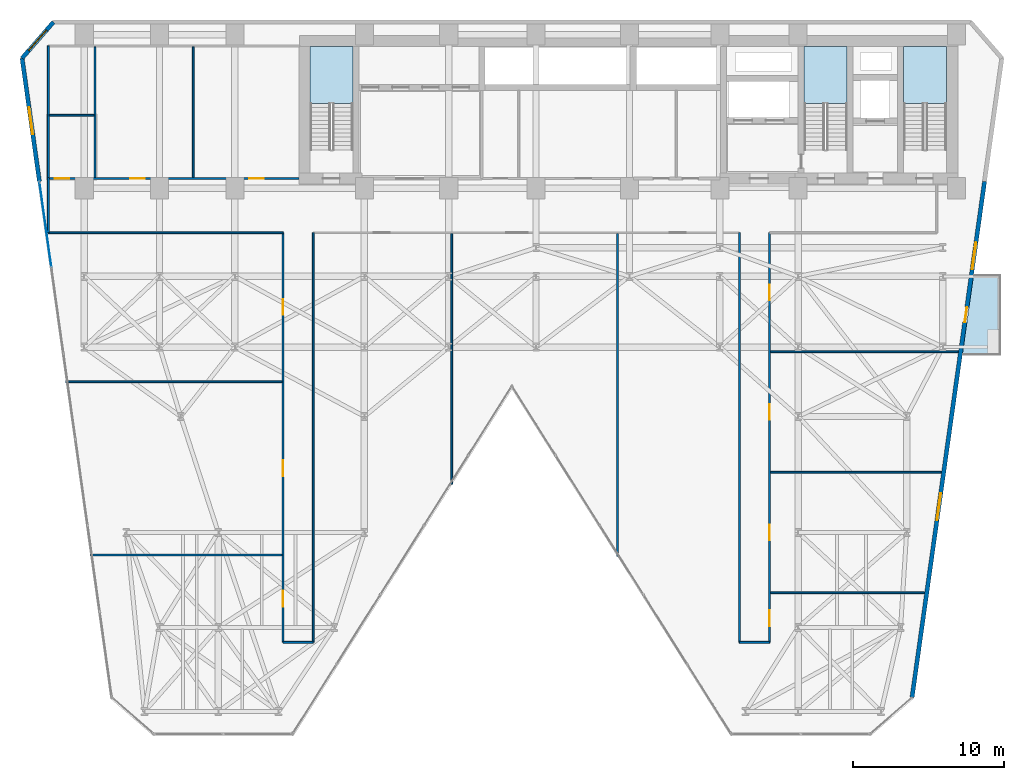
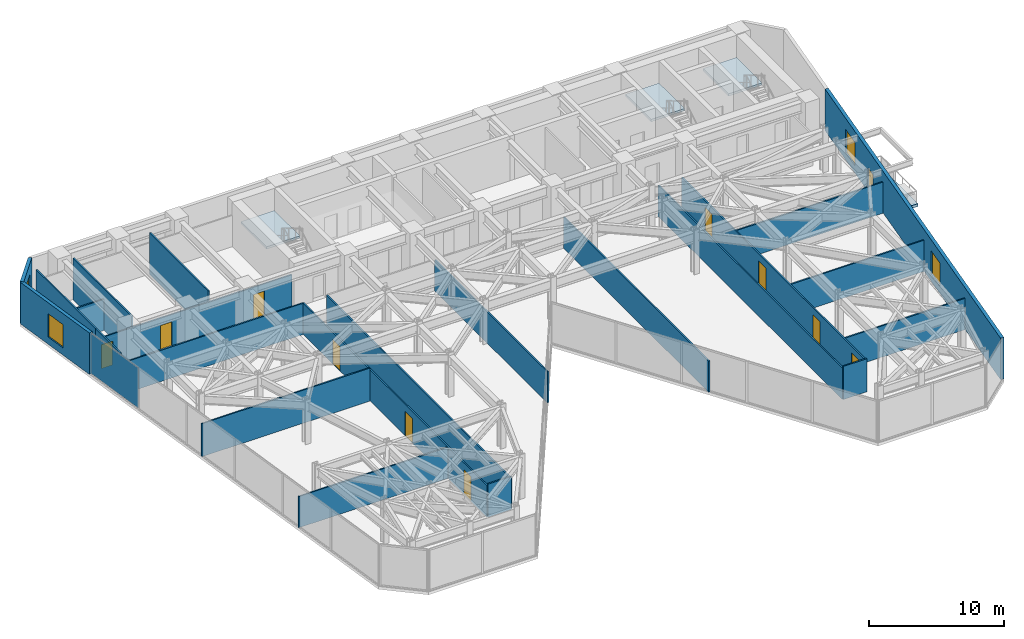
# One storey, part 19 of 24: 23 walls, 11 doors, 4 slabs, 4 windows, 1 plate, 15 openings, 4 elements without a shape of their own.
"""IFC4 building model written with IfcOpenShell, lengths in metres."""

from ifc_helpers import new_model, si_unit, direction, frame, frame_2d, origin, origin_2d, place, context, subcontext, project, spatial, polyline, rectangle, outline, extrude, material, layer, layer_set, type_object, element, fill, aggregate, save


model = new_model("IFC4")

# Units and contexts
model_context = context("Model", 3, precision=1e-05, world=origin(), true_north=direction((0.0, 1.0)))
body_context = subcontext(model_context, "Body", "Model", "MODEL_VIEW")
ifc_project = project(units=[si_unit("LENGTHUNIT", "METRE"), si_unit("AREAUNIT", "SQUARE_METRE"), si_unit("VOLUMEUNIT", "CUBIC_METRE"), si_unit("PLANEANGLEUNIT", "RADIAN"), si_unit("MASSUNIT", "GRAM", prefix="KILO")], contexts=[model_context])

# Site, building, storey
site_placement = place(None, origin())
site = spatial("IfcSite", under=ifc_project, at=site_placement, CompositionType="ELEMENT")
building_placement = place(site_placement, origin())
building = spatial("IfcBuilding", under=site, at=building_placement, Name="Kravanh Interchange Tower", CompositionType="ELEMENT")
storey_placement = place(building_placement, frame((0.0, 0.0, 37.5)))
storey = spatial("IfcBuildingStorey", under=building, at=storey_placement, Name="L08", CompositionType="ELEMENT", Elevation=37.5)

# Stair, slab
ifc_material_1 = material(Name="Concrete C50/60", Category="concrete")
stair_type = type_object("IfcStairType", Name="Core Fire Exit Dogleg Stair Concrete C50/60", PredefinedType="HALF_TURN_STAIR", material=ifc_material_1)
stair_1_placement = place(storey_placement, origin())
stair_1 = element("IfcStair", 1, at=stair_1_placement, inside=storey, type_object=stair_type, Name="L08 Exit Stair ST1", PredefinedType="HALF_TURN_STAIR")
ifc_material_2 = material(Name="Concrete C50/60", Category="concrete")
ifc_layer_1 = layer(ifc_material_2, 0.199951171875)
ifc_layer_set_1 = layer_set([ifc_layer_1], Name="Concrete C50/60 Stair Half-Landing Slab 200mm")
slab_type_1 = type_object("IfcSlabType", Name="Concrete C50/60 Stair Half-Landing Slab 200mm", PredefinedType="LANDING", material=ifc_layer_set_1)
slab_1_placement = place(storey_placement, frame((0.0, 0.0, 1.800048828125)))
slab_1 = element("IfcSlab", 2, at=slab_1_placement, type_object=slab_type_1, Name="ST1 landing 1", PredefinedType="LANDING", context=body_context, shape_type="SweptSolid", body=[
    extrude(outline(polyline([(65.85009765625, 42.97998046875), (65.85009765625, 46.75), (63.0, 46.75), (63.0, 42.97998046875), (65.85009765625, 42.97998046875)])), origin(), (0.0, 0.0, 1.0), 0.199951171875),
])
aggregate(stair_1, [slab_1])

stair_2_placement = place(storey_placement, origin())
stair_2 = element("IfcStair", 3, at=stair_2_placement, inside=storey, type_object=stair_type, Name="L08 Exit Stair ST2", PredefinedType="HALF_TURN_STAIR")
slab_2_placement = place(storey_placement, frame((0.0, 0.0, 1.800048828125)))
slab_2 = element("IfcSlab", 4, at=slab_2_placement, type_object=slab_type_1, Name="ST2 landing 1", PredefinedType="LANDING", context=body_context, shape_type="SweptSolid", body=[
    extrude(outline(polyline([(59.25, 42.97998046875), (59.25, 46.75), (56.39990234375, 46.75), (56.39990234375, 42.97998046875), (59.25, 42.97998046875)])), origin(), (0.0, 0.0, 1.0), 0.199951171875),
])
aggregate(stair_2, [slab_2])

stair_3_placement = place(storey_placement, origin())
stair_3 = element("IfcStair", 5, at=stair_3_placement, inside=storey, type_object=stair_type, Name="L08 Exit Stair ST3", PredefinedType="HALF_TURN_STAIR")
slab_3_placement = place(storey_placement, frame((0.0, 0.0, 1.800048828125)))
slab_3 = element("IfcSlab", 6, at=slab_3_placement, type_object=slab_type_1, Name="ST3 landing 1", PredefinedType="LANDING", context=body_context, shape_type="SweptSolid", body=[
    extrude(outline(polyline([(26.449951171875, 42.97998046875), (26.449951171875, 46.75), (23.60009765625, 46.75), (23.60009765625, 42.97998046875), (26.449951171875, 42.97998046875)])), origin(), (0.0, 0.0, 1.0), 0.199951171875),
])
aggregate(stair_3, [slab_3])

# Slab
ifc_material_3 = material(Name="Concrete C50/60", Category="concrete")
ifc_layer_2 = layer(ifc_material_3, 0.199951171875)
ifc_layer_set_2 = layer_set([ifc_layer_2], Name="Planted Tree Balcony Slab Concrete C50/60 200mm")
slab_type_2 = type_object("IfcSlabType", Name="Planted Tree Balcony Slab Concrete C50/60 200mm", PredefinedType="USERDEFINED", material=ifc_layer_set_2)
slab_4_placement = place(storey_placement, frame((0.0, 0.0, -0.260009765625)))
element("IfcSlab", 7, at=slab_4_placement, inside=storey, type_object=slab_type_2, Name="L08 East Tree Planter Balcony Slab", ObjectType="BALCONY", PredefinedType="USERDEFINED", context=body_context, shape_type="SweptSolid", body=[
    extrude(outline(polyline([(69.47900390625, 31.6298828125), (69.47900390625, 26.22998046875), (66.88525390625, 26.22998046875), (67.644287109375, 31.6298828125), (69.47900390625, 31.6298828125)])), origin(), (0.0, 0.0, 1.0), 0.260009765625),
])

# Curtain wall, plate
ifc_material_4 = material(Name="Anodised Bronze Aluminium", Category="aluminium")
ifc_layer_3 = layer(ifc_material_4, 0.179931640625)
ifc_layer_set_3 = layer_set([ifc_layer_3], Name="Unitised Curtain Wall System CW-Z1 Lower Office")
curtain_wall_type = type_object("IfcCurtainWallType", Name="Unitised Curtain Wall System CW-Z1 Lower Office", PredefinedType="NOTDEFINED", material=ifc_layer_set_3)
curtain_wall_placement = place(storey_placement, origin())
curtain_wall = element("IfcCurtainWall", 8, at=curtain_wall_placement, inside=storey, type_object=curtain_wall_type, Name="L08 Unitised Curtain Wall CW-L08-01", PredefinedType="NOTDEFINED")
ifc_material_5 = material(Name="Low-E Laminated Architectural Glass", Category="glass")
ifc_layer_4 = layer(ifc_material_5, 0.028076171875)
ifc_layer_set_4 = layer_set([ifc_layer_4], Name="Solar-Control Double Glazing 28mm")
plate_type = type_object("IfcPlateType", Name="Solar-Control Double Glazing 28mm", PredefinedType="CURTAIN_PANEL", material=ifc_layer_set_4)
plate_placement = place(storey_placement, frame((6.028564453125, 34.927490234375, 0.06005859375), z_axis=(0.0, 0.0, 1.0), x_axis=(-0.139176538065, 0.990267585682, 0.0)))
plate = element("IfcPlate", 9, at=plate_placement, type_object=plate_type, Name="CW-Z1 panel 6.1", PredefinedType="CURTAIN_PANEL", context=body_context, shape_type="SweptSolid", body=[
    extrude(rectangle(XDim=5.66162109375, YDim=0.028076171875, at=origin_2d()), origin(), (0.0, 0.0, 1.0), 3.6201171875),
])
aggregate(curtain_wall, [plate])

# Wall, openings, doors
ifc_material_6 = material(Name="Double Acoustic Gypsum Board and Mineral Wool")
ifc_layer_5 = layer(ifc_material_6, 0.1201171875)
ifc_layer_set_5 = layer_set([ifc_layer_5], Name="Acoustic Office Drywall Partition 120mm")
wall_type_1 = type_object("IfcWallType", Name="Acoustic Office Drywall Partition 120mm", PredefinedType="PARTITIONING", material=ifc_layer_set_5)
wall_1_placement = place(storey_placement, frame((6.219970703125, 38.0, 0.0), z_axis=(0.0, 0.0, 1.0), x_axis=(1.0, 0.0, 0.0)))
wall_1 = element("IfcWall", 10, at=wall_1_placement, inside=storey, type_object=wall_type_1, Name="L08 Restroom Corridor Wall 7", PredefinedType="PARTITIONING", context=body_context, shape_type="SweptSolid", body=[
    extrude(rectangle(XDim=16.630126953125, YDim=0.1201171875, at=frame_2d((8.31494140625, 0.0))), origin(), (0.0, 0.0, 1.0), 2.81298828125),
])
opening_1_placement = place(wall_1_placement, frame((0.424072265625, 0.0, 0.0)))
opening_1 = element("IfcOpeningElement", 11, at=opening_1_placement, cuts=wall_1, Name="Opening D-95", PredefinedType="OPENING", context=body_context, shape_type="SweptSolid", body=[
    extrude(rectangle(XDim=0.949951171875, YDim=2.14990234375, at=frame_2d((0.47509765625, 1.074951171875))), frame((0.0, 0.070068359375, 0.0), z_axis=(0.0, -1.0, 0.0), x_axis=(1.0, 0.0, 0.0)), (0.0, 0.0, 1.0), 0.14013671875),
])
opening_2_placement = place(wall_1_placement, frame((5.444091796875, 0.0, 0.0)))
opening_2 = element("IfcOpeningElement", 12, at=opening_2_placement, cuts=wall_1, Name="Opening D-95", PredefinedType="OPENING", context=body_context, shape_type="SweptSolid", body=[
    extrude(rectangle(XDim=0.949951171875, YDim=2.14990234375, at=frame_2d((0.47509765625, 1.074951171875))), frame((0.0, 0.070068359375, 0.0), z_axis=(0.0, -1.0, 0.0), x_axis=(1.0, 0.0, 0.0)), (0.0, 0.0, 1.0), 0.14013671875),
])
opening_3_placement = place(wall_1_placement, frame((13.343994140625, 0.0, 0.0)))
opening_3 = element("IfcOpeningElement", 13, at=opening_3_placement, cuts=wall_1, Name="Opening D-95", PredefinedType="OPENING", context=body_context, shape_type="SweptSolid", body=[
    extrude(rectangle(XDim=0.949951171875, YDim=2.14990234375, at=frame_2d((0.47509765625, 1.074951171875))), frame((0.0, 0.070068359375, 0.0), z_axis=(0.0, -1.0, 0.0), x_axis=(1.0, 0.0, 0.0)), (0.0, 0.0, 1.0), 0.14013671875),
])
ifc_material_7 = material(Name="Laminate Solid-Core Timber", Category="wood")
door_type_1 = type_object("IfcDoorType", Name="Accessible Restroom Door 950x2150", OperationType="NOTDEFINED", PredefinedType="DOOR", material=ifc_material_7)
door_1_placement = place(opening_1_placement, origin())
door_1 = element("IfcDoor", 14, at=door_1_placement, inside=storey, type_object=door_type_1, Name="L08 Accessible WC Door", OperationType="SINGLE_SWING_RIGHT", OverallHeight=2.14990234375, OverallWidth=0.949951171875, PredefinedType="DOOR", context=body_context, shape_type="SweptSolid", body=[
    extrude(rectangle(XDim=0.949951171875, YDim=2.14990234375, at=frame_2d((0.47509765625, 1.074951171875))), frame((0.0, 0.02490234375, 0.0), z_axis=(0.0, -1.0, 0.0), x_axis=(1.0, 0.0, 0.0)), (0.0, 0.0, 1.0), 0.050048828125),
])
fill(opening_1, door_1)
door_2_placement = place(opening_2_placement, origin())
door_2 = element("IfcDoor", 15, at=door_2_placement, inside=storey, type_object=door_type_1, Name="L08 Female WC Door", OperationType="SINGLE_SWING_LEFT", OverallHeight=2.14990234375, OverallWidth=0.949951171875, PredefinedType="DOOR", context=body_context, shape_type="SweptSolid", body=[
    extrude(rectangle(XDim=0.949951171875, YDim=2.14990234375, at=frame_2d((0.47509765625, 1.074951171875))), frame((0.0, 0.02490234375, 0.0), z_axis=(0.0, -1.0, 0.0), x_axis=(1.0, 0.0, 0.0)), (0.0, 0.0, 1.0), 0.050048828125),
])
fill(opening_2, door_2)
door_3_placement = place(opening_3_placement, origin())
door_3 = element("IfcDoor", 16, at=door_3_placement, inside=storey, type_object=door_type_1, Name="L08 Male WC Door", OperationType="SINGLE_SWING_RIGHT", OverallHeight=2.14990234375, OverallWidth=0.949951171875, PredefinedType="DOOR", context=body_context, shape_type="SweptSolid", body=[
    extrude(rectangle(XDim=0.949951171875, YDim=2.14990234375, at=frame_2d((0.47509765625, 1.074951171875))), frame((0.0, 0.02490234375, 0.0), z_axis=(0.0, -1.0, 0.0), x_axis=(1.0, 0.0, 0.0)), (0.0, 0.0, 1.0), 0.050048828125),
])
fill(opening_3, door_3)

# Walls
wall_2_placement = place(storey_placement, frame((6.219970703125, 38.0, 0.0), z_axis=(0.0, 0.0, 1.0), x_axis=(0.0, 1.0, 0.0)))
element("IfcWall", 17, at=wall_2_placement, inside=storey, type_object=wall_type_1, Name="L08 Restroom West Enclosure 8", PredefinedType="PARTITIONING", context=body_context, shape_type="SweptSolid", body=[
    extrude(rectangle(XDim=8.800048828125, YDim=0.1201171875, at=frame_2d((4.39990234375, 0.0))), origin(), (0.0, 0.0, 1.0), 3.739990234375),
])
for number, where, z_axis, x_axis, name in (
    (18, (9.320068359375, 38.068115234375, 0.0), (0.0, 0.0, 1.0), (0.0, 1.0, 0.0), "L08 Interior Partition 10"),
    (19, (15.840087890625, 38.068115234375, 0.0), (0.0, 0.0, 1.0), (0.0, 1.0, 0.0), "L08 Interior Partition 11"),
):
    element("IfcWall", number, at=place(storey_placement, frame(where, z_axis=z_axis, x_axis=x_axis)), inside=storey, type_object=wall_type_1, Name=name, PredefinedType="PARTITIONING", context=body_context, shape_type="SweptSolid", body=[
        extrude(rectangle(XDim=8.663818359375, YDim=0.1201171875, at=frame_2d((4.33203125, 0.0))), origin(), (0.0, 0.0, 1.0), 3.739990234375),
    ])
wall_3_placement = place(storey_placement, frame((6.2880859375, 42.199951171875, 0.0), z_axis=(0.0, 0.0, 1.0), x_axis=(1.0, 0.0, 0.0)))
element("IfcWall", 20, at=wall_3_placement, inside=storey, type_object=wall_type_1, Name="L08 Interior Partition 12", PredefinedType="PARTITIONING", context=body_context, shape_type="SweptSolid", body=[
    extrude(rectangle(XDim=2.9638671875, YDim=0.1201171875, at=frame_2d((1.48193359375, 0.0))), origin(), (0.0, 0.0, 1.0), 2.81298828125),
])
wall_4_placement = place(storey_placement, frame((6.219970703125, 34.39990234375, 0.0), z_axis=(0.0, 0.0, 1.0), x_axis=(1.0, 0.0, 0.0)))
element("IfcWall", 21, at=wall_4_placement, inside=storey, type_object=wall_type_1, Name="L08 Interior Partition 13", PredefinedType="PARTITIONING", context=body_context, shape_type="SweptSolid", body=[
    extrude(rectangle(XDim=15.580078125, YDim=0.1201171875, at=frame_2d((7.7900390625, 0.0))), origin(), (0.0, 0.0, 1.0), 2.81298828125),
])
wall_5_placement = place(storey_placement, frame((6.219970703125, 34.39990234375, 0.0), z_axis=(0.0, 0.0, 1.0), x_axis=(0.0, 1.0, 0.0)))
element("IfcWall", 22, at=wall_5_placement, inside=storey, type_object=wall_type_1, Name="L08 Interior Partition 16", PredefinedType="PARTITIONING", context=body_context, shape_type="SweptSolid", body=[
    extrude(rectangle(XDim=3.650146484375, YDim=0.1201171875, at=frame_2d((1.8251953125, 0.0))), origin(), (0.0, 0.0, 1.0), 3.739990234375),
])

# Wall, openings, doors
wall_6_placement = place(storey_placement, frame((21.800048828125, 7.199951171875, 0.0), z_axis=(0.0, 0.0, 1.0), x_axis=(0.0, 1.0, 0.0)))
wall_6 = element("IfcWall", 23, at=wall_6_placement, inside=storey, type_object=wall_type_1, Name="L08 Interior Partition 18", PredefinedType="PARTITIONING", context=body_context, shape_type="SweptSolid", body=[
    extrude(rectangle(XDim=27.199951171875, YDim=0.1201171875, at=frame_2d((13.60009765625, 0.0))), origin(), (0.0, 0.0, 1.0), 2.81298828125),
])
opening_4_placement = place(wall_6_placement, frame((2.375, 0.0, 0.0)))
opening_4 = element("IfcOpeningElement", 24, at=opening_4_placement, cuts=wall_6, Name="Opening D-105", PredefinedType="OPENING", context=body_context, shape_type="SweptSolid", body=[
    extrude(rectangle(XDim=1.050048828125, YDim=2.199951171875, at=frame_2d((0.52490234375, 1.10009765625))), frame((0.0, 0.070068359375, 0.0), z_axis=(0.0, -1.0, 0.0), x_axis=(1.0, 0.0, 0.0)), (0.0, 0.0, 1.0), 0.14013671875),
])
opening_5_placement = place(wall_6_placement, frame((11.02490234375, 0.0, 0.0)))
opening_5 = element("IfcOpeningElement", 25, at=opening_5_placement, cuts=wall_6, Name="Opening D-105", PredefinedType="OPENING", context=body_context, shape_type="SweptSolid", body=[
    extrude(rectangle(XDim=1.050048828125, YDim=2.199951171875, at=frame_2d((0.52490234375, 1.10009765625))), frame((0.0, 0.070068359375, 0.0), z_axis=(0.0, -1.0, 0.0), x_axis=(1.0, 0.0, 0.0)), (0.0, 0.0, 1.0), 0.14013671875),
])
opening_6_placement = place(wall_6_placement, frame((21.740234375, 0.0, 0.0)))
opening_6 = element("IfcOpeningElement", 26, at=opening_6_placement, cuts=wall_6, Name="Opening D-105", PredefinedType="OPENING", context=body_context, shape_type="SweptSolid", body=[
    extrude(rectangle(XDim=1.050048828125, YDim=2.199951171875, at=frame_2d((0.52490234375, 1.10009765625))), frame((0.0, 0.070068359375, 0.0), z_axis=(0.0, -1.0, 0.0), x_axis=(1.0, 0.0, 0.0)), (0.0, 0.0, 1.0), 0.14013671875),
])
ifc_material_8 = material(Name="Acoustic Glazed Oak and Aluminium", Category="aluminium")
door_type_2 = type_object("IfcDoorType", Name="Office Workplace Door 1050x2200", OperationType="NOTDEFINED", PredefinedType="DOOR", material=ifc_material_8)
door_4_placement = place(opening_4_placement, origin())
door_4 = element("IfcDoor", 27, at=door_4_placement, inside=storey, type_object=door_type_2, Name="L08 SW Seminar Meeting Room Door", OperationType="SINGLE_SWING_LEFT", OverallHeight=2.199951171875, OverallWidth=1.050048828125, PredefinedType="DOOR", context=body_context, shape_type="SweptSolid", body=[
    extrude(rectangle(XDim=1.050048828125, YDim=2.199951171875, at=frame_2d((0.52490234375, 1.10009765625))), frame((0.0, 0.02490234375, 0.0), z_axis=(0.0, -1.0, 0.0), x_axis=(1.0, 0.0, 0.0)), (0.0, 0.0, 1.0), 0.050048828125),
])
fill(opening_4, door_4)
door_5_placement = place(opening_5_placement, origin())
door_5 = element("IfcDoor", 28, at=door_5_placement, inside=storey, type_object=door_type_2, Name="L08 West Balcony Lounge Door", OperationType="SINGLE_SWING_RIGHT", OverallHeight=2.199951171875, OverallWidth=1.050048828125, PredefinedType="DOOR", context=body_context, shape_type="SweptSolid", body=[
    extrude(rectangle(XDim=1.050048828125, YDim=2.199951171875, at=frame_2d((0.52490234375, 1.10009765625))), frame((0.0, 0.02490234375, 0.0), z_axis=(0.0, -1.0, 0.0), x_axis=(1.0, 0.0, 0.0)), (0.0, 0.0, 1.0), 0.050048828125),
])
fill(opening_5, door_5)
door_6_placement = place(opening_6_placement, origin())
door_6 = element("IfcDoor", 29, at=door_6_placement, inside=storey, type_object=door_type_2, Name="L08 NW Caucus Meeting Room Door", OperationType="SINGLE_SWING_LEFT", OverallHeight=2.199951171875, OverallWidth=1.050048828125, PredefinedType="DOOR", context=body_context, shape_type="SweptSolid", body=[
    extrude(rectangle(XDim=1.050048828125, YDim=2.199951171875, at=frame_2d((0.52490234375, 1.10009765625))), frame((0.0, 0.02490234375, 0.0), z_axis=(0.0, -1.0, 0.0), x_axis=(1.0, 0.0, 0.0)), (0.0, 0.0, 1.0), 0.050048828125),
])
fill(opening_6, door_6)

# Walls
wall_7_placement = place(storey_placement, frame((23.800048828125, 7.199951171875, 0.0), z_axis=(0.0, 0.0, 1.0), x_axis=(0.0, 1.0, 0.0)))
element("IfcWall", 30, at=wall_7_placement, inside=storey, type_object=wall_type_1, Name="L08 Interior Partition 19", PredefinedType="PARTITIONING", context=body_context, shape_type="SweptSolid", body=[
    extrude(rectangle(XDim=27.199951171875, YDim=0.1201171875, at=frame_2d((13.60009765625, 0.0))), origin(), (0.0, 0.0, 1.0), 2.81298828125),
])
wall_8_placement = place(storey_placement, frame((21.800048828125, 7.199951171875, 0.0), z_axis=(0.0, 0.0, 1.0), x_axis=(1.0, 0.0, 0.0)))
element("IfcWall", 31, at=wall_8_placement, inside=storey, type_object=wall_type_1, Name="L08 Interior Partition 20", PredefinedType="PARTITIONING", context=body_context, shape_type="SweptSolid", body=[
    extrude(rectangle(XDim=2.0, YDim=0.1201171875, at=frame_2d((1.0, 0.0))), origin(), (0.0, 0.0, 1.0), 2.97802734375),
])
wall_9_placement = place(storey_placement, frame((52.10009765625, 7.199951171875, 0.0), z_axis=(0.0, 0.0, 1.0), x_axis=(0.0, 1.0, 0.0)))
element("IfcWall", 32, at=wall_9_placement, inside=storey, type_object=wall_type_1, Name="L08 Interior Partition 21", PredefinedType="PARTITIONING", context=body_context, shape_type="SweptSolid", body=[
    extrude(rectangle(XDim=27.199951171875, YDim=0.1201171875, at=frame_2d((13.60009765625, 0.0))), origin(), (0.0, 0.0, 1.0), 2.81298828125),
])

# Wall, openings, doors
wall_10_placement = place(storey_placement, frame((54.10009765625, 7.199951171875, 0.0), z_axis=(0.0, 0.0, 1.0), x_axis=(0.0, 1.0, 0.0)))
wall_10 = element("IfcWall", 33, at=wall_10_placement, inside=storey, type_object=wall_type_1, Name="L08 Interior Partition 22", PredefinedType="PARTITIONING", context=body_context, shape_type="SweptSolid", body=[
    extrude(rectangle(XDim=27.199951171875, YDim=0.1201171875, at=frame_2d((13.60009765625, 0.0))), origin(), (0.0, 0.0, 1.0), 2.81298828125),
])
opening_7_placement = place(wall_10_placement, frame((1.083984375, 0.0, 0.0)))
opening_7 = element("IfcOpeningElement", 34, at=opening_7_placement, cuts=wall_10, Name="Opening D-105", PredefinedType="OPENING", context=body_context, shape_type="SweptSolid", body=[
    extrude(rectangle(XDim=1.050048828125, YDim=2.199951171875, at=frame_2d((0.52490234375, 1.10009765625))), frame((0.0, 0.070068359375, 0.0), z_axis=(0.0, -1.0, 0.0), x_axis=(1.0, 0.0, 0.0)), (0.0, 0.0, 1.0), 0.14013671875),
])
opening_8_placement = place(wall_10_placement, frame((6.77490234375, 0.0, 0.0)))
opening_8 = element("IfcOpeningElement", 35, at=opening_8_placement, cuts=wall_10, Name="Opening D-105", PredefinedType="OPENING", context=body_context, shape_type="SweptSolid", body=[
    extrude(rectangle(XDim=1.050048828125, YDim=2.199951171875, at=frame_2d((0.52490234375, 1.10009765625))), frame((0.0, 0.070068359375, 0.0), z_axis=(0.0, -1.0, 0.0), x_axis=(1.0, 0.0, 0.0)), (0.0, 0.0, 1.0), 0.14013671875),
])
opening_9_placement = place(wall_10_placement, frame((14.77490234375, 0.0, 0.0)))
opening_9 = element("IfcOpeningElement", 36, at=opening_9_placement, cuts=wall_10, Name="Opening D-105", PredefinedType="OPENING", context=body_context, shape_type="SweptSolid", body=[
    extrude(rectangle(XDim=1.050048828125, YDim=2.199951171875, at=frame_2d((0.52490234375, 1.10009765625))), frame((0.0, 0.070068359375, 0.0), z_axis=(0.0, -1.0, 0.0), x_axis=(1.0, 0.0, 0.0)), (0.0, 0.0, 1.0), 0.14013671875),
])
opening_10_placement = place(wall_10_placement, frame((22.699951171875, 0.0, 0.0)))
opening_10 = element("IfcOpeningElement", 37, at=opening_10_placement, cuts=wall_10, Name="Opening D-105", PredefinedType="OPENING", context=body_context, shape_type="SweptSolid", body=[
    extrude(rectangle(XDim=1.050048828125, YDim=2.199951171875, at=frame_2d((0.52490234375, 1.10009765625))), frame((0.0, 0.070068359375, 0.0), z_axis=(0.0, -1.0, 0.0), x_axis=(1.0, 0.0, 0.0)), (0.0, 0.0, 1.0), 0.14013671875),
])
door_7_placement = place(opening_7_placement, origin())
door_7 = element("IfcDoor", 38, at=door_7_placement, inside=storey, type_object=door_type_2, Name="L08 SE Boardroom Door", OperationType="SINGLE_SWING_RIGHT", OverallHeight=2.199951171875, OverallWidth=1.050048828125, PredefinedType="DOOR", context=body_context, shape_type="SweptSolid", body=[
    extrude(rectangle(XDim=1.050048828125, YDim=2.199951171875, at=frame_2d((0.52490234375, 1.10009765625))), frame((0.0, 0.02490234375, 0.0), z_axis=(0.0, -1.0, 0.0), x_axis=(1.0, 0.0, 0.0)), (0.0, 0.0, 1.0), 0.050048828125),
])
fill(opening_7, door_7)
door_8_placement = place(opening_8_placement, origin())
door_8 = element("IfcDoor", 39, at=door_8_placement, inside=storey, type_object=door_type_2, Name="L08 East Client Meeting Room A Door", OperationType="SINGLE_SWING_LEFT", OverallHeight=2.199951171875, OverallWidth=1.050048828125, PredefinedType="DOOR", context=body_context, shape_type="SweptSolid", body=[
    extrude(rectangle(XDim=1.050048828125, YDim=2.199951171875, at=frame_2d((0.52490234375, 1.10009765625))), frame((0.0, 0.02490234375, 0.0), z_axis=(0.0, -1.0, 0.0), x_axis=(1.0, 0.0, 0.0)), (0.0, 0.0, 1.0), 0.050048828125),
])
fill(opening_8, door_8)
door_9_placement = place(opening_9_placement, origin())
door_9 = element("IfcDoor", 40, at=door_9_placement, inside=storey, type_object=door_type_2, Name="L08 East Balcony Office Door", OperationType="SINGLE_SWING_RIGHT", OverallHeight=2.199951171875, OverallWidth=1.050048828125, PredefinedType="DOOR", context=body_context, shape_type="SweptSolid", body=[
    extrude(rectangle(XDim=1.050048828125, YDim=2.199951171875, at=frame_2d((0.52490234375, 1.10009765625))), frame((0.0, 0.02490234375, 0.0), z_axis=(0.0, -1.0, 0.0), x_axis=(1.0, 0.0, 0.0)), (0.0, 0.0, 1.0), 0.050048828125),
])
fill(opening_9, door_9)
door_10_placement = place(opening_10_placement, origin())
door_10 = element("IfcDoor", 41, at=door_10_placement, inside=storey, type_object=door_type_2, Name="L08 East Meeting Room B Door", OperationType="SINGLE_SWING_LEFT", OverallHeight=2.199951171875, OverallWidth=1.050048828125, PredefinedType="DOOR", context=body_context, shape_type="SweptSolid", body=[
    extrude(rectangle(XDim=1.050048828125, YDim=2.199951171875, at=frame_2d((0.52490234375, 1.10009765625))), frame((0.0, 0.02490234375, 0.0), z_axis=(0.0, -1.0, 0.0), x_axis=(1.0, 0.0, 0.0)), (0.0, 0.0, 1.0), 0.050048828125),
])
fill(opening_10, door_10)

# Walls
wall_11_placement = place(storey_placement, frame((52.10009765625, 7.199951171875, 0.0), z_axis=(0.0, 0.0, 1.0), x_axis=(1.0, 0.0, 0.0)))
element("IfcWall", 42, at=wall_11_placement, inside=storey, type_object=wall_type_1, Name="L08 Interior Partition 23", PredefinedType="PARTITIONING", context=body_context, shape_type="SweptSolid", body=[
    extrude(rectangle(XDim=2.0, YDim=0.1201171875, at=frame_2d((1.0, 0.0))), origin(), (0.0, 0.0, 1.0), 2.97802734375),
])
wall_12_placement = place(storey_placement, frame((9.00439453125, 13.0, 0.0), z_axis=(0.0, 0.0, 1.0), x_axis=(1.0, 0.0, 0.0)))
element("IfcWall", 43, at=wall_12_placement, inside=storey, type_object=wall_type_1, Name="L08 Interior Partition 24", PredefinedType="PARTITIONING", context=body_context, shape_type="SweptSolid", body=[
    extrude(rectangle(XDim=12.7275390625, YDim=0.1201171875, at=frame_2d((6.36376953125, 0.0))), origin(), (0.0, 0.0, 1.0), 2.81298828125),
])
wall_13_placement = place(storey_placement, frame((7.38818359375, 24.5, 0.0), z_axis=(0.0, 0.0, 1.0), x_axis=(1.0, 0.0, 0.0)))
element("IfcWall", 44, at=wall_13_placement, inside=storey, type_object=wall_type_1, Name="L08 Interior Partition 25", PredefinedType="PARTITIONING", context=body_context, shape_type="SweptSolid", body=[
    extrude(rectangle(XDim=14.34375, YDim=0.1201171875, at=frame_2d((7.171875, 0.0))), origin(), (0.0, 0.0, 1.0), 2.97802734375),
])
wall_14_placement = place(storey_placement, frame((54.16796875, 10.5, 0.0), z_axis=(0.0, 0.0, 1.0), x_axis=(1.0, 0.0, 0.0)))
element("IfcWall", 45, at=wall_14_placement, inside=storey, type_object=wall_type_1, Name="L08 Interior Partition 26", PredefinedType="PARTITIONING", context=body_context, shape_type="SweptSolid", body=[
    extrude(rectangle(XDim=10.20361328125, YDim=0.1201171875, at=frame_2d((5.101806640625, 0.0))), origin(), (0.0, 0.0, 1.0), 2.81298828125),
])
wall_15_placement = place(storey_placement, frame((54.16796875, 18.5, 0.0), z_axis=(0.0, 0.0, 1.0), x_axis=(1.0, 0.0, 0.0)))
element("IfcWall", 46, at=wall_15_placement, inside=storey, type_object=wall_type_1, Name="L08 Interior Partition 27", PredefinedType="PARTITIONING", context=body_context, shape_type="SweptSolid", body=[
    extrude(rectangle(XDim=11.328125, YDim=0.1201171875, at=frame_2d((5.6640625, 0.0))), origin(), (0.0, 0.0, 1.0), 2.81298828125),
])
wall_16_placement = place(storey_placement, frame((54.16796875, 26.5, 0.0), z_axis=(0.0, 0.0, 1.0), x_axis=(1.0, 0.0, 0.0)))
element("IfcWall", 47, at=wall_16_placement, inside=storey, type_object=wall_type_1, Name="L08 Interior Partition 28", PredefinedType="PARTITIONING", context=body_context, shape_type="SweptSolid", body=[
    extrude(rectangle(XDim=12.452392578125, YDim=0.1201171875, at=frame_2d((6.22607421875, 0.0))), origin(), (0.0, 0.0, 1.0), 2.81298828125),
])
wall_17_placement = place(storey_placement, frame((33.0, 17.683349609375, 0.0), z_axis=(0.0, 0.0, 1.0), x_axis=(0.0, 1.0, 0.0)))
element("IfcWall", 48, at=wall_17_placement, inside=storey, type_object=wall_type_1, Name="L08 Interior Partition 29", PredefinedType="PARTITIONING", context=body_context, shape_type="SweptSolid", body=[
    extrude(rectangle(XDim=16.648681640625, YDim=0.1201171875, at=frame_2d((8.32421875, 0.0))), origin(), (0.0, 0.0, 1.0), 2.81298828125),
])
wall_18_placement = place(storey_placement, frame((44.0, 12.9248046875, 0.0), z_axis=(0.0, 0.0, 1.0), x_axis=(0.0, 1.0, 0.0)))
element("IfcWall", 49, at=wall_18_placement, inside=storey, type_object=wall_type_1, Name="L08 Interior Partition 30", PredefinedType="PARTITIONING", context=body_context, shape_type="SweptSolid", body=[
    extrude(rectangle(XDim=21.4072265625, YDim=0.1201171875, at=frame_2d((10.70361328125, 0.0))), origin(), (0.0, 0.0, 1.0), 2.81298828125),
])

# Wall, opening, window
ifc_material_9 = material(Name="Insulated Precast Concrete C40/50 with Bronze Cladding", Category="concrete")
ifc_layer_6 = layer(ifc_material_9, 0.280029296875)
ifc_layer_set_6 = layer_set([ifc_layer_6], Name="Exterior Insulated Concrete C40/50 Bronze Spandrel Wall 280mm")
wall_type_2 = type_object("IfcWallType", Name="Exterior Insulated Concrete C40/50 Bronze Spandrel Wall 280mm", PredefinedType="STANDARD", material=ifc_layer_set_6)
wall_19_placement = place(storey_placement, frame((5.625, 37.800048828125, 0.0), z_axis=(0.0, 0.0, 1.0), x_axis=(-0.139180172484, 0.990267074878, 0.0)))
wall_19 = element("IfcWall", 50, at=wall_19_placement, inside=storey, type_object=wall_type_2, Name="L08 Exterior Wall 1", PredefinedType="STANDARD", context=body_context, shape_type="SweptSolid", body=[
    extrude(rectangle(XDim=8.267333984375, YDim=0.280029296875, at=frame_2d((4.1337890625, 0.0))), origin(), (0.0, 0.0, 1.0), 3.739990234375),
])
opening_11_placement = place(wall_19_placement, frame((3.1728515625, 0.0, 0.64990234375)))
opening_11 = element("IfcOpeningElement", 51, at=opening_11_placement, cuts=wall_19, Name="Opening WN-180X210", PredefinedType="OPENING", context=body_context, shape_type="SweptSolid", body=[
    extrude(rectangle(XDim=1.800048828125, YDim=2.10009765625, at=frame_2d((0.89990234375, 1.050048828125))), frame((0.0, 0.14990234375, 0.0), z_axis=(0.0, -1.0, 0.0), x_axis=(1.0, 0.0, 0.0)), (0.0, 0.0, 1.0), 0.300048828125),
])
ifc_material_10 = material(Name="Thermally Broken Bronze Aluminium and Low-E Glass", Category="aluminium")
window_type = type_object("IfcWindowType", Name="Tower Pier Window 1800x2100", PartitioningType="SINGLE_PANEL", PredefinedType="WINDOW", material=ifc_material_10)
window_1_placement = place(opening_11_placement, origin())
window_1 = element("IfcWindow", 52, at=window_1_placement, inside=storey, type_object=window_type, Name="L08 Corner Window 1", OverallHeight=2.10009765625, OverallWidth=1.800048828125, PartitioningType="SINGLE_PANEL", PredefinedType="WINDOW", context=body_context, shape_type="SweptSolid", body=[
    extrude(rectangle(XDim=1.800048828125, YDim=2.10009765625, at=frame_2d((0.89990234375, 1.050048828125))), frame((0.0, 0.030029296875, 0.0), z_axis=(0.0, -1.0, 0.0), x_axis=(1.0, 0.0, 0.0)), (0.0, 0.0, 1.0), 0.06005859375),
])
fill(opening_11, window_1)

wall_20_placement = place(storey_placement, frame((4.474365234375, 45.98681640625, 0.0), z_axis=(0.0, 0.0, 1.0), x_axis=(0.656070053895, 0.754699996278, 0.0)))
wall_20 = element("IfcWall", 53, at=wall_20_placement, inside=storey, type_object=wall_type_2, Name="L08 Exterior Wall 2", PredefinedType="STANDARD", context=body_context, shape_type="SweptSolid", body=[
    extrude(rectangle(XDim=3.1708984375, YDim=0.280029296875, at=frame_2d((1.58544921875, 0.0))), origin(), (0.0, 0.0, 1.0), 3.739990234375),
])
opening_12_placement = place(wall_20_placement, frame((0.66650390625, 0.0, 0.64990234375)))
opening_12 = element("IfcOpeningElement", 54, at=opening_12_placement, cuts=wall_20, Name="Opening WN-180X210", PredefinedType="OPENING", context=body_context, shape_type="SweptSolid", body=[
    extrude(rectangle(XDim=1.800048828125, YDim=2.10009765625, at=frame_2d((0.89990234375, 1.050048828125))), frame((0.0, 0.14990234375, 0.0), z_axis=(0.0, -1.0, 0.0), x_axis=(1.0, 0.0, 0.0)), (0.0, 0.0, 1.0), 0.300048828125),
])
window_2_placement = place(opening_12_placement, origin())
window_2 = element("IfcWindow", 55, at=window_2_placement, inside=storey, type_object=window_type, Name="L08 Corner Window 2", OverallHeight=2.10009765625, OverallWidth=1.800048828125, PartitioningType="SINGLE_PANEL", PredefinedType="WINDOW", context=body_context, shape_type="SweptSolid", body=[
    extrude(rectangle(XDim=1.800048828125, YDim=2.10009765625, at=frame_2d((0.89990234375, 1.050048828125))), frame((0.0, 0.030029296875, 0.0), z_axis=(0.0, -1.0, 0.0), x_axis=(1.0, 0.0, 0.0)), (0.0, 0.0, 1.0), 0.06005859375),
])
fill(opening_12, window_2)

# Wall, openings, door, windows
wall_21_placement = place(storey_placement, frame((68.375, 37.800048828125, 0.0), z_axis=(0.0, 0.0, 1.0), x_axis=(-0.139174610616, -0.990267856572, 0.0)))
wall_21 = element("IfcWall", 56, at=wall_21_placement, inside=storey, type_object=wall_type_2, Name="L08 Exterior Wall 6", PredefinedType="STANDARD", context=body_context, shape_type="SweptSolid", body=[
    extrude(rectangle(XDim=34.599853515625, YDim=0.280029296875, at=frame_2d((17.2998046875, 0.0))), origin(), (0.0, 0.0, 1.0), 3.739990234375),
])
opening_13_placement = place(wall_21_placement, frame((8.440185546875, 0.0, 0.0)))
opening_13 = element("IfcOpeningElement", 57, at=opening_13_placement, cuts=wall_21, Name="Opening ED-BAL100", PredefinedType="OPENING", context=body_context, shape_type="SweptSolid", body=[
    extrude(rectangle(XDim=1.0, YDim=2.14990234375, at=frame_2d((0.5, 1.074951171875))), frame((0.0, 0.14990234375, 0.0), z_axis=(0.0, -1.0, 0.0), x_axis=(1.0, 0.0, 0.0)), (0.0, 0.0, 1.0), 0.300048828125),
])
opening_14_placement = place(wall_21_placement, frame((4.09228515625, 0.0, 0.64990234375)))
opening_14 = element("IfcOpeningElement", 58, at=opening_14_placement, cuts=wall_21, Name="Opening WN-180X210", PredefinedType="OPENING", context=body_context, shape_type="SweptSolid", body=[
    extrude(rectangle(XDim=1.800048828125, YDim=2.10009765625, at=frame_2d((0.89990234375, 1.050048828125))), frame((0.0, 0.14990234375, 0.0), z_axis=(0.0, -1.0, 0.0), x_axis=(1.0, 0.0, 0.0)), (0.0, 0.0, 1.0), 0.300048828125),
])
opening_15_placement = place(wall_21_placement, frame((20.902587890625, 0.0, 0.64990234375)))
opening_15 = element("IfcOpeningElement", 59, at=opening_15_placement, cuts=wall_21, Name="Opening WN-180X210", PredefinedType="OPENING", context=body_context, shape_type="SweptSolid", body=[
    extrude(rectangle(XDim=1.800048828125, YDim=2.10009765625, at=frame_2d((0.89990234375, 1.050048828125))), frame((0.0, 0.14990234375, 0.0), z_axis=(0.0, -1.0, 0.0), x_axis=(1.0, 0.0, 0.0)), (0.0, 0.0, 1.0), 0.300048828125),
])
ifc_material_11 = material(Name="Thermally Broken Bronze Aluminium and Laminated Glass", Category="aluminium")
door_type_3 = type_object("IfcDoorType", Name="Balcony Glazed Door 1000x2150", OperationType="NOTDEFINED", PredefinedType="DOOR", material=ifc_material_11)
door_11_placement = place(opening_13_placement, origin())
door_11 = element("IfcDoor", 60, at=door_11_placement, inside=storey, type_object=door_type_3, Name="L08 E Tree Balcony Access Door", OperationType="SINGLE_SWING_RIGHT", OverallHeight=2.14990234375, OverallWidth=1.0, PredefinedType="DOOR", context=body_context, shape_type="SweptSolid", body=[
    extrude(rectangle(XDim=1.0, YDim=2.14990234375, at=frame_2d((0.5, 1.074951171875))), frame((0.0, 0.02490234375, 0.0), z_axis=(0.0, -1.0, 0.0), x_axis=(1.0, 0.0, 0.0)), (0.0, 0.0, 1.0), 0.050048828125),
])
fill(opening_13, door_11)
window_3_placement = place(opening_14_placement, origin())
window_3 = element("IfcWindow", 61, at=window_3_placement, inside=storey, type_object=window_type, Name="L08 Facade Window 6A", OverallHeight=2.10009765625, OverallWidth=1.800048828125, PartitioningType="SINGLE_PANEL", PredefinedType="WINDOW", context=body_context, shape_type="SweptSolid", body=[
    extrude(rectangle(XDim=1.800048828125, YDim=2.10009765625, at=frame_2d((0.89990234375, 1.050048828125))), frame((0.0, 0.030029296875, 0.0), z_axis=(0.0, -1.0, 0.0), x_axis=(1.0, 0.0, 0.0)), (0.0, 0.0, 1.0), 0.06005859375),
])
fill(opening_14, window_3)
window_4_placement = place(opening_15_placement, origin())
window_4 = element("IfcWindow", 62, at=window_4_placement, inside=storey, type_object=window_type, Name="L08 Facade Window 6B", OverallHeight=2.10009765625, OverallWidth=1.800048828125, PartitioningType="SINGLE_PANEL", PredefinedType="WINDOW", context=body_context, shape_type="SweptSolid", body=[
    extrude(rectangle(XDim=1.800048828125, YDim=2.10009765625, at=frame_2d((0.89990234375, 1.050048828125))), frame((0.0, 0.030029296875, 0.0), z_axis=(0.0, -1.0, 0.0), x_axis=(1.0, 0.0, 0.0)), (0.0, 0.0, 1.0), 0.06005859375),
])
fill(opening_15, window_4)

save(model, "model.ifc")
